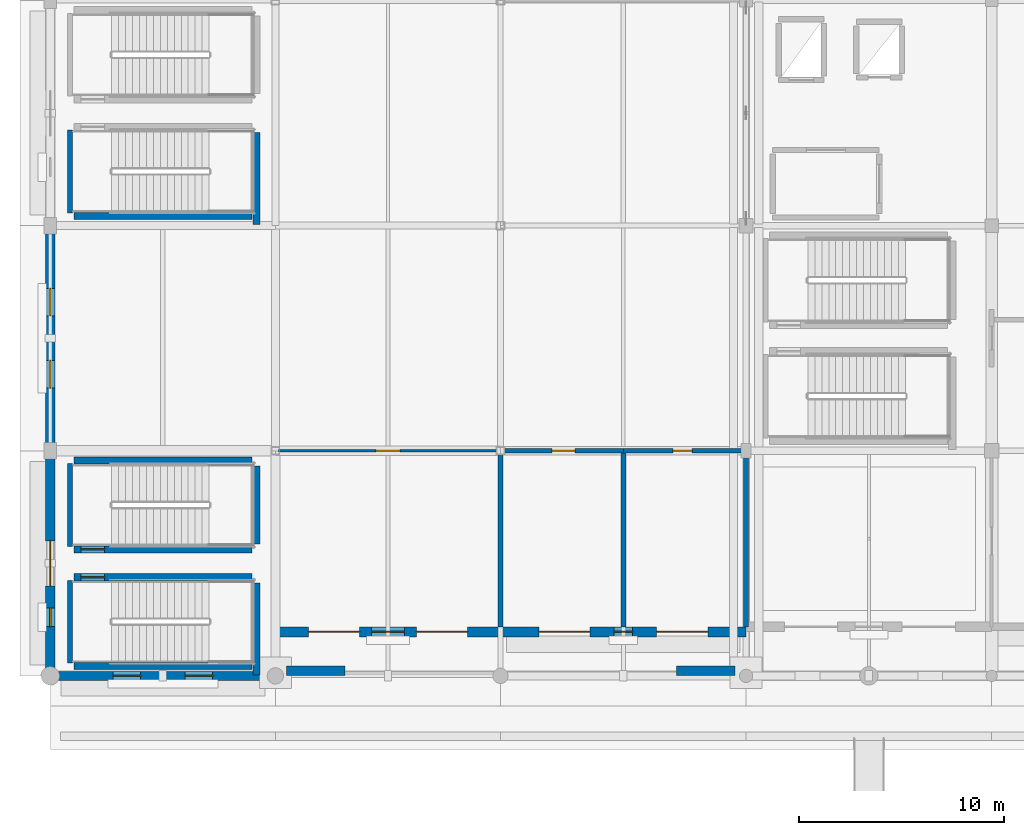
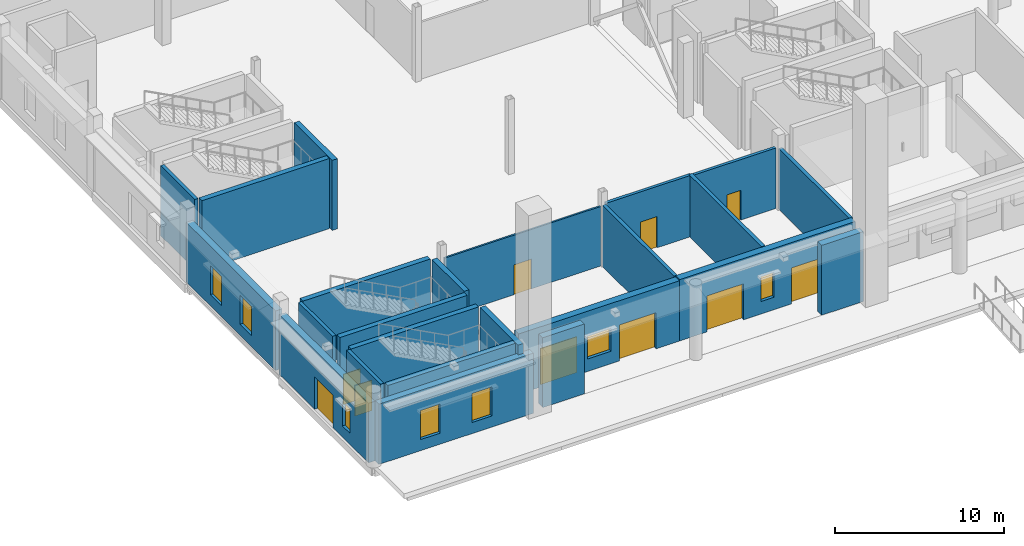
# One storey, part 55 of 120: 24 walls, 10 doors, 7 windows, 17 openings.
"""IFC4 building model written with IfcOpenShell, lengths in metres."""

from ifc_helpers import new_model, si_unit, direction, frame, frame_2d, origin, place, context, subcontext, project, spatial, rectangle, extrude, material, layer, layer_set, type_object, element, fill, save


model = new_model("IFC4")

# Units and contexts
model_context = context("Model", 3, precision=1e-05, world=origin(), true_north=direction((0.0, 1.0)))
body_context = subcontext(model_context, "Body", "Model", "MODEL_VIEW")
ifc_project = project(units=[si_unit("LENGTHUNIT", "METRE"), si_unit("AREAUNIT", "SQUARE_METRE"), si_unit("VOLUMEUNIT", "CUBIC_METRE"), si_unit("PLANEANGLEUNIT", "RADIAN"), si_unit("MASSUNIT", "GRAM", prefix="KILO")], contexts=[model_context])

# Site, building, storey
site_placement = place(None, origin())
site = spatial("IfcSite", under=ifc_project, at=site_placement, CompositionType="ELEMENT")
building_placement = place(site_placement, origin())
building = spatial("IfcBuilding", under=site, at=building_placement, Name="Luwafu Chhajja Arena", CompositionType="ELEMENT")
storey_placement = place(building_placement, origin())
storey = spatial("IfcBuildingStorey", under=building, at=storey_placement, Name="L00", CompositionType="ELEMENT", Elevation=0.0)

# Wall, opening, door
ifc_material_1 = material(Name="Acoustic gypsum and mineral wool partition")
ifc_layer_1 = layer(ifc_material_1, 0.199951171875, Name="Acoustic gypsum and mineral wool partition")
ifc_layer_set_1 = layer_set([ifc_layer_1], Name="Acoustic gypsum and mineral wool partition")
wall_type_1 = type_object("IfcWallType", Name="Acoustic Broadcast Studio Partition 200", PredefinedType="PARTITIONING", material=ifc_layer_set_1)
wall_1_placement = place(storey_placement, frame((22.159912109375, 11.0, 0.0), z_axis=(0.0, 0.0, 1.0), x_axis=(1.0, 0.0, 0.0)))
wall_1 = element("IfcWall", 1, at=wall_1_placement, inside=storey, type_object=wall_type_1, Name="L00 Internal Partition 0152", PredefinedType="PARTITIONING", context=body_context, shape_type="SweptSolid", body=[
    extrude(rectangle(XDim=5.840087890625, YDim=0.199951171875, at=frame_2d((2.919921875, 0.0))), origin(), (0.0, 0.0, 1.0), 4.4296875),
])
opening_1_placement = place(wall_1_placement, frame((2.360107421875, 0.0, 0.0)))
opening_1 = element("IfcOpeningElement", 2, at=opening_1_placement, cuts=wall_1, Name="Opening DR-16", PredefinedType="OPENING", context=body_context, shape_type="SweptSolid", body=[
    extrude(rectangle(XDim=1.1201171875, YDim=2.25, at=frame_2d((0.56005859375, 1.125))), frame((0.0, 0.10986328125, 0.0), z_axis=(0.0, -1.0, 0.0), x_axis=(1.0, 0.0, 0.0)), (0.0, 0.0, 1.0), 0.219970703125),
])
ifc_material_2 = material(Name="Acoustic steel-core timber door", Category="steel")
door_type_1 = type_object("IfcDoorType", Name="DR-16", OperationType="NOTDEFINED", PredefinedType="DOOR", material=ifc_material_2)
door_1_placement = place(opening_1_placement, origin())
door_1 = element("IfcDoor", 3, at=door_1_placement, inside=storey, type_object=door_type_1, Name="L00 Interior Door L00-D035", OperationType="SINGLE_SWING_LEFT", OverallHeight=2.25, OverallWidth=1.1201171875, PredefinedType="DOOR", context=body_context, shape_type="SweptSolid", body=[
    extrude(rectangle(XDim=1.1201171875, YDim=2.25, at=frame_2d((0.56005859375, 1.125))), frame((0.0, 0.02490234375, 0.0), z_axis=(0.0, -1.0, 0.0), x_axis=(1.0, 0.0, 0.0)), (0.0, 0.0, 1.0), 0.050048828125),
])
fill(opening_1, door_1)

wall_2_placement = place(storey_placement, frame((28.0, 11.0, 0.0), z_axis=(0.0, 0.0, 1.0), x_axis=(1.0, 0.0, 0.0)))
wall_2 = element("IfcWall", 4, at=wall_2_placement, inside=storey, type_object=wall_type_1, Name="L00 Internal Partition 0153", PredefinedType="PARTITIONING", context=body_context, shape_type="SweptSolid", body=[
    extrude(rectangle(XDim=5.780029296875, YDim=0.199951171875, at=frame_2d((2.89013671875, 0.0))), origin(), (0.0, 0.0, 1.0), 4.366455078125),
])
opening_2_placement = place(wall_2_placement, frame((2.419921875, 0.0, 0.0)))
opening_2 = element("IfcOpeningElement", 5, at=opening_2_placement, cuts=wall_2, Name="Opening DR-17", PredefinedType="OPENING", context=body_context, shape_type="SweptSolid", body=[
    extrude(rectangle(XDim=0.93994140625, YDim=2.14990234375, at=frame_2d((0.469970703125, 1.074951171875))), frame((0.0, 0.10986328125, 0.0), z_axis=(0.0, -1.0, 0.0), x_axis=(1.0, 0.0, 0.0)), (0.0, 0.0, 1.0), 0.219970703125),
])
door_type_2 = type_object("IfcDoorType", Name="DR-17", OperationType="NOTDEFINED", PredefinedType="DOOR", material=ifc_material_2)
door_2_placement = place(opening_2_placement, origin())
door_2 = element("IfcDoor", 6, at=door_2_placement, inside=storey, type_object=door_type_2, Name="L00 Interior Door L00-D036", OperationType="SINGLE_SWING_RIGHT", OverallHeight=2.14990234375, OverallWidth=0.93994140625, PredefinedType="DOOR", context=body_context, shape_type="SweptSolid", body=[
    extrude(rectangle(XDim=0.93994140625, YDim=2.14990234375, at=frame_2d((0.469970703125, 1.074951171875))), frame((0.0, 0.02490234375, 0.0), z_axis=(0.0, -1.0, 0.0), x_axis=(1.0, 0.0, 0.0)), (0.0, 0.0, 1.0), 0.050048828125),
])
fill(opening_2, door_2)

# Walls
ifc_material_3 = material(Name="Concrete blockwork masonry", Category="masonry")
ifc_layer_2 = layer(ifc_material_3, 0.239990234375, Name="Concrete blockwork masonry")
ifc_layer_set_2 = layer_set([ifc_layer_2], Name="Concrete blockwork masonry")
wall_type_2 = type_object("IfcWallType", Name="Compartment Masonry Partition 240", PredefinedType="PARTITIONING", material=ifc_layer_set_2)
wall_3_placement = place(storey_placement, frame((22.0, 2.39990234375, 0.0), z_axis=(0.0, 0.0, 1.0), x_axis=(0.0, 1.0, 0.0)))
element("IfcWall", 7, at=wall_3_placement, inside=storey, type_object=wall_type_2, Name="L00 Internal Partition 0198", PredefinedType="PARTITIONING", context=body_context, shape_type="SweptSolid", body=[
    extrude(rectangle(XDim=8.440185546875, YDim=0.239990234375, at=frame_2d((4.22021484375, 0.0))), origin(), (0.0, 0.0, 1.0), 4.4296875),
])
wall_4_placement = place(storey_placement, frame((28.0, 2.39990234375, 0.0), z_axis=(0.0, 0.0, 1.0), x_axis=(0.0, 1.0, 0.0)))
element("IfcWall", 8, at=wall_4_placement, inside=storey, type_object=wall_type_2, Name="L00 Internal Partition 0199", PredefinedType="PARTITIONING", context=body_context, shape_type="SweptSolid", body=[
    extrude(rectangle(XDim=8.60009765625, YDim=0.239990234375, at=frame_2d((4.300048828125, 0.0))), origin(), (0.0, 0.0, 1.0), 4.449951171875),
])
wall_5_placement = place(storey_placement, frame((34.0, 2.39990234375, 0.0), z_axis=(0.0, 0.0, 1.0), x_axis=(0.0, 1.0, 0.0)))
element("IfcWall", 9, at=wall_5_placement, inside=storey, type_object=wall_type_2, Name="L00 Internal Partition 0200", PredefinedType="PARTITIONING", context=body_context, shape_type="SweptSolid", body=[
    extrude(rectangle(XDim=8.380126953125, YDim=0.239990234375, at=frame_2d((4.18994140625, 0.0))), origin(), (0.0, 0.0, 1.0), 4.366455078125),
])

# Wall, opening, door
ifc_material_4 = material(Name="Acoustic metal-stud gypsum board")
ifc_layer_3 = layer(ifc_material_4, 0.1201171875, Name="Acoustic metal-stud gypsum board")
ifc_layer_set_3 = layer_set([ifc_layer_3], Name="Acoustic metal-stud gypsum board")
wall_type_3 = type_object("IfcWallType", Name="Internal Room Partition 120", PredefinedType="PARTITIONING", material=ifc_layer_set_3)
wall_6_placement = place(storey_placement, frame((11.159912109375, 11.0, 0.0), z_axis=(0.0, 0.0, 1.0), x_axis=(1.0, 0.0, 0.0)))
wall_6 = element("IfcWall", 10, at=wall_6_placement, inside=storey, type_object=wall_type_3, Name="L00 Internal Partition 0149", PredefinedType="PARTITIONING", context=body_context, shape_type="SweptSolid", body=[
    extrude(rectangle(XDim=10.68017578125, YDim=0.1201171875, at=frame_2d((5.340087890625, 0.0))), origin(), (0.0, 0.0, 1.0), 4.300048828125),
])
opening_3_placement = place(wall_6_placement, frame((4.75, 0.0, 0.0)))
opening_3 = element("IfcOpeningElement", 11, at=opening_3_placement, cuts=wall_6, Name="Opening DR-21", PredefinedType="OPENING", context=body_context, shape_type="SweptSolid", body=[
    extrude(rectangle(XDim=1.179931640625, YDim=2.14990234375, at=frame_2d((0.58984375, 1.074951171875))), frame((0.0, 0.070068359375, 0.0), z_axis=(0.0, -1.0, 0.0), x_axis=(1.0, 0.0, 0.0)), (0.0, 0.0, 1.0), 0.14013671875),
])
ifc_material_5 = material(Name="Hygienic laminate single leaf")
door_type_3 = type_object("IfcDoorType", Name="DR-21", OperationType="NOTDEFINED", PredefinedType="DOOR", material=ifc_material_5)
door_3_placement = place(opening_3_placement, origin())
door_3 = element("IfcDoor", 12, at=door_3_placement, inside=storey, type_object=door_type_3, Name="L00 Interior Door L00-D032", OperationType="SINGLE_SWING_LEFT", OverallHeight=2.14990234375, OverallWidth=1.179931640625, PredefinedType="DOOR", context=body_context, shape_type="SweptSolid", body=[
    extrude(rectangle(XDim=1.179931640625, YDim=2.14990234375, at=frame_2d((0.58984375, 1.074951171875))), frame((0.0, 0.02490234375, 0.0), z_axis=(0.0, -1.0, 0.0), x_axis=(1.0, 0.0, 0.0)), (0.0, 0.0, 1.0), 0.050048828125),
])
fill(opening_3, door_3)

# Walls
ifc_material_6 = material(Name="Concrete C40/50", Category="concrete")
ifc_layer_4 = layer(ifc_material_6, 0.47998046875, Name="Concrete C40/50")
ifc_layer_set_4 = layer_set([ifc_layer_4], Name="Concrete C40/50")
wall_type_4 = type_object("IfcWallType", Name="Pishtaq Portal Ashlar Wall 480", PredefinedType="SOLIDWALL", material=ifc_layer_set_4)
for number, where, z_axis, x_axis, name in (
    (13, (11.550048828125, 0.25, 0.0), (0.0, 0.0, 1.0), (1.0, 0.0, 0.0), "L00 Pishtaq Portal West Cheek Pier"),
    (14, (30.60009765625, 0.25, 0.0), (0.0, 0.0, 1.0), (1.0, 0.0, 0.0), "L00 Pishtaq Portal East Cheek Pier"),
):
    element("IfcWall", number, at=place(storey_placement, frame(where, z_axis=z_axis, x_axis=x_axis)), inside=storey, type_object=wall_type_4, Name=name, PredefinedType="SOLIDWALL", context=body_context, shape_type="SweptSolid", body=[
        extrude(rectangle(XDim=2.849853515625, YDim=0.47998046875, at=frame_2d((1.4248046875, 0.0))), origin(), (0.0, 0.0, 1.0), 5.0400390625),
    ])

# Wall, openings, window, doors
wall_7_placement = place(storey_placement, frame((11.0, 2.14990234375, 0.0), z_axis=(0.0, 0.0, 1.0), x_axis=(1.0, 0.0, 0.0)))
wall_7 = element("IfcWall", 15, at=wall_7_placement, inside=storey, type_object=wall_type_4, Name="L00 Exterior Wall WEX-L00-064", PredefinedType="SOLIDWALL", context=body_context, shape_type="SweptSolid", body=[
    extrude(rectangle(XDim=11.0, YDim=0.47998046875, at=frame_2d((5.5, 0.0))), origin(), (0.0, 0.0, 1.0), 4.35009765625),
])
opening_4_placement = place(wall_7_placement, frame((1.610107421875, 0.0, 0.0)))
opening_4 = element("IfcOpeningElement", 16, at=opening_4_placement, cuts=wall_7, Name="Opening DR-02", PredefinedType="OPENING", context=body_context, shape_type="SweptSolid", body=[
    extrude(rectangle(XDim=2.5, YDim=2.60009765625, at=frame_2d((1.25, 1.300048828125))), frame((0.0, 0.25, 0.0), z_axis=(0.0, -1.0, 0.0), x_axis=(1.0, 0.0, 0.0)), (0.0, 0.0, 1.0), 0.5),
])
opening_5_placement = place(wall_7_placement, frame((6.889892578125, 0.0, 0.0)))
opening_5 = element("IfcOpeningElement", 17, at=opening_5_placement, cuts=wall_7, Name="Opening DR-02", PredefinedType="OPENING", context=body_context, shape_type="SweptSolid", body=[
    extrude(rectangle(XDim=2.5, YDim=2.60009765625, at=frame_2d((1.25, 1.300048828125))), frame((0.0, 0.25, 0.0), z_axis=(0.0, -1.0, 0.0), x_axis=(1.0, 0.0, 0.0)), (0.0, 0.0, 1.0), 0.5),
])
opening_6_placement = place(wall_7_placement, frame((4.699951171875, 0.0, 0.89990234375)))
opening_6 = element("IfcOpeningElement", 18, at=opening_6_placement, cuts=wall_7, Name="Opening WN-13", PredefinedType="OPENING", context=body_context, shape_type="SweptSolid", body=[
    extrude(rectangle(XDim=1.60009765625, YDim=1.64990234375, at=frame_2d((0.800048828125, 0.824951171875))), frame((0.0, 0.25, 0.0), z_axis=(0.0, -1.0, 0.0), x_axis=(1.0, 0.0, 0.0)), (0.0, 0.0, 1.0), 0.5),
])
ifc_material_7 = material(Name="Solar-control laminated glass", Category="glass")
window_type_1 = type_object("IfcWindowType", Name="Administration Office Window 1600x1650", PartitioningType="SINGLE_PANEL", PredefinedType="WINDOW", material=ifc_material_7)
window_1_placement = place(opening_6_placement, origin())
window_1 = element("IfcWindow", 19, at=window_1_placement, inside=storey, type_object=window_type_1, Name="L00 Facade Window 265", OverallHeight=1.64990234375, OverallWidth=1.60009765625, PartitioningType="SINGLE_PANEL", PredefinedType="WINDOW", context=body_context, shape_type="SweptSolid", body=[
    extrude(rectangle(XDim=1.60009765625, YDim=1.64990234375, at=frame_2d((0.800048828125, 0.824951171875))), frame((0.0, 0.030029296875, 0.0), z_axis=(0.0, -1.0, 0.0), x_axis=(1.0, 0.0, 0.0)), (0.0, 0.0, 1.0), 0.06005859375),
])
fill(opening_6, window_1)
ifc_material_8 = material(Name="Anodised bronze aluminium and toughened glass", Category="aluminium")
door_type_4 = type_object("IfcDoorType", Name="DR-02", OperationType="DOUBLE_DOOR_SINGLE_SWING", PredefinedType="DOOR", material=ifc_material_8)
door_4_placement = place(opening_4_placement, frame((2.5, 0.0, 0.0), z_axis=(0.0, 0.0, 1.0), x_axis=(-1.0, 0.0, 0.0)))
door_4 = element("IfcDoor", 20, at=door_4_placement, inside=storey, type_object=door_type_4, Name="Main entrance E-09", OperationType="DOUBLE_DOOR_SINGLE_SWING", OverallHeight=2.60009765625, OverallWidth=2.5, PredefinedType="DOOR", context=body_context, shape_type="SweptSolid", body=[
    extrude(rectangle(XDim=2.5, YDim=2.60009765625, at=frame_2d((1.25, 1.300048828125))), frame((0.0, 0.02490234375, 0.0), z_axis=(0.0, -1.0, 0.0), x_axis=(1.0, 0.0, 0.0)), (0.0, 0.0, 1.0), 0.050048828125),
])
fill(opening_4, door_4)
door_5_placement = place(opening_5_placement, frame((2.5, 0.0, 0.0), z_axis=(0.0, 0.0, 1.0), x_axis=(-1.0, 0.0, 0.0)))
door_5 = element("IfcDoor", 21, at=door_5_placement, inside=storey, type_object=door_type_4, Name="Main entrance E-10", OperationType="DOUBLE_DOOR_SINGLE_SWING", OverallHeight=2.60009765625, OverallWidth=2.5, PredefinedType="DOOR", context=body_context, shape_type="SweptSolid", body=[
    extrude(rectangle(XDim=2.5, YDim=2.60009765625, at=frame_2d((1.25, 1.300048828125))), frame((0.0, 0.02490234375, 0.0), z_axis=(0.0, -1.0, 0.0), x_axis=(1.0, 0.0, 0.0)), (0.0, 0.0, 1.0), 0.050048828125),
])
fill(opening_5, door_5)

# Wall, openings, doors, window
wall_8_placement = place(storey_placement, frame((22.0, 2.14990234375, 0.0), z_axis=(0.0, 0.0, 1.0), x_axis=(1.0, 0.0, 0.0)))
wall_8 = element("IfcWall", 22, at=wall_8_placement, inside=storey, type_object=wall_type_4, Name="L00 Exterior Wall WEX-L00-066", PredefinedType="SOLIDWALL", context=body_context, shape_type="SweptSolid", body=[
    extrude(rectangle(XDim=12.0, YDim=0.47998046875, at=frame_2d((6.0, 0.0))), origin(), (0.0, 0.0, 1.0), 4.4296875),
])
opening_7_placement = place(wall_8_placement, frame((1.8701171875, 0.0, 0.0)))
opening_7 = element("IfcOpeningElement", 23, at=opening_7_placement, cuts=wall_8, Name="Opening DR-02", PredefinedType="OPENING", context=body_context, shape_type="SweptSolid", body=[
    extrude(rectangle(XDim=2.5, YDim=2.60009765625, at=frame_2d((1.25, 1.300048828125))), frame((0.0, 0.25, 0.0), z_axis=(0.0, -1.0, 0.0), x_axis=(1.0, 0.0, 0.0)), (0.0, 0.0, 1.0), 0.5),
])
opening_8_placement = place(wall_8_placement, frame((7.6298828125, 0.0, 0.0)))
opening_8 = element("IfcOpeningElement", 24, at=opening_8_placement, cuts=wall_8, Name="Opening DR-02", PredefinedType="OPENING", context=body_context, shape_type="SweptSolid", body=[
    extrude(rectangle(XDim=2.5, YDim=2.60009765625, at=frame_2d((1.25, 1.300048828125))), frame((0.0, 0.25, 0.0), z_axis=(0.0, -1.0, 0.0), x_axis=(1.0, 0.0, 0.0)), (0.0, 0.0, 1.0), 0.5),
])
opening_9_placement = place(wall_8_placement, frame((5.550048828125, 0.0, 0.89990234375)))
opening_9 = element("IfcOpeningElement", 25, at=opening_9_placement, cuts=wall_8, Name="Opening WN-16", PredefinedType="OPENING", context=body_context, shape_type="SweptSolid", body=[
    extrude(rectangle(XDim=0.89990234375, YDim=1.800048828125, at=frame_2d((0.449951171875, 0.89990234375))), frame((0.0, 0.25, 0.0), z_axis=(0.0, -1.0, 0.0), x_axis=(1.0, 0.0, 0.0)), (0.0, 0.0, 1.0), 0.5),
])
door_6_placement = place(opening_7_placement, frame((2.5, 0.0, 0.0), z_axis=(0.0, 0.0, 1.0), x_axis=(-1.0, 0.0, 0.0)))
door_6 = element("IfcDoor", 26, at=door_6_placement, inside=storey, type_object=door_type_4, Name="Main entrance E-11", OperationType="DOUBLE_DOOR_SINGLE_SWING", OverallHeight=2.60009765625, OverallWidth=2.5, PredefinedType="DOOR", context=body_context, shape_type="SweptSolid", body=[
    extrude(rectangle(XDim=2.5, YDim=2.60009765625, at=frame_2d((1.25, 1.300048828125))), frame((0.0, 0.02490234375, 0.0), z_axis=(0.0, -1.0, 0.0), x_axis=(1.0, 0.0, 0.0)), (0.0, 0.0, 1.0), 0.050048828125),
])
fill(opening_7, door_6)
door_7_placement = place(opening_8_placement, frame((2.5, 0.0, 0.0), z_axis=(0.0, 0.0, 1.0), x_axis=(-1.0, 0.0, 0.0)))
door_7 = element("IfcDoor", 27, at=door_7_placement, inside=storey, type_object=door_type_4, Name="Main entrance E-12", OperationType="DOUBLE_DOOR_SINGLE_SWING", OverallHeight=2.60009765625, OverallWidth=2.5, PredefinedType="DOOR", context=body_context, shape_type="SweptSolid", body=[
    extrude(rectangle(XDim=2.5, YDim=2.60009765625, at=frame_2d((1.25, 1.300048828125))), frame((0.0, 0.02490234375, 0.0), z_axis=(0.0, -1.0, 0.0), x_axis=(1.0, 0.0, 0.0)), (0.0, 0.0, 1.0), 0.050048828125),
])
fill(opening_8, door_7)
window_type_2 = type_object("IfcWindowType", Name="Stair Core Daylight Slot Window 900x1800", PartitioningType="SINGLE_PANEL", PredefinedType="WINDOW", material=ifc_material_7)
window_2_placement = place(opening_9_placement, origin())
window_2 = element("IfcWindow", 28, at=window_2_placement, inside=storey, type_object=window_type_2, Name="L00 Facade Window 267", OverallHeight=1.800048828125, OverallWidth=0.89990234375, PartitioningType="SINGLE_PANEL", PredefinedType="WINDOW", context=body_context, shape_type="SweptSolid", body=[
    extrude(rectangle(XDim=0.89990234375, YDim=1.800048828125, at=frame_2d((0.449951171875, 0.89990234375))), frame((0.0, 0.030029296875, 0.0), z_axis=(0.0, -1.0, 0.0), x_axis=(1.0, 0.0, 0.0)), (0.0, 0.0, 1.0), 0.06005859375),
])
fill(opening_9, window_2)

# Walls
ifc_layer_5 = layer(ifc_material_6, 0.35009765625, Name="Concrete C40/50")
ifc_layer_set_5 = layer_set([ifc_layer_5], Name="Concrete C40/50")
wall_type_5 = type_object("IfcWallType", Name="RC Core Shear Wall 350", PredefinedType="SOLIDWALL", material=ifc_layer_set_5)
wall_9_placement = place(storey_placement, frame((10.072021484375, 22.050048828125, 0.0), z_axis=(0.0, 0.0, 1.0), x_axis=(0.0, 1.0, 0.0)))
element("IfcWall", 29, at=wall_9_placement, inside=storey, type_object=wall_type_5, Name="L00 Stair ST-13 Core Shear Wall E", PredefinedType="SOLIDWALL", context=body_context, shape_type="SweptSolid", body=[
    extrude(rectangle(XDim=4.5, YDim=0.35009765625, at=frame_2d((2.25, 0.0))), origin(), (0.0, 0.0, 1.0), 5.06005859375),
])
wall_10_placement = place(storey_placement, frame((1.14990234375, 22.47802734375, 0.0), z_axis=(0.0, 0.0, 1.0), x_axis=(1.0, 0.0, 0.0)))
element("IfcWall", 30, at=wall_10_placement, inside=storey, type_object=wall_type_5, Name="L00 Stair ST-13 Core Shear Wall S", PredefinedType="SOLIDWALL", context=body_context, shape_type="SweptSolid", body=[
    extrude(rectangle(XDim=8.7001953125, YDim=0.35009765625, at=frame_2d((4.35009765625, 0.0))), origin(), (0.0, 0.0, 1.0), 5.06005859375),
])
wall_11_placement = place(storey_placement, frame((10.072021484375, 0.050048828125, 0.0), z_axis=(0.0, 0.0, 1.0), x_axis=(0.0, 1.0, 0.0)))
element("IfcWall", 31, at=wall_11_placement, inside=storey, type_object=wall_type_5, Name="L00 Stair ST-17 Core Shear Wall E", PredefinedType="SOLIDWALL", context=body_context, shape_type="SweptSolid", body=[
    extrude(rectangle(XDim=4.5, YDim=0.35009765625, at=frame_2d((2.25, 0.0))), origin(), (0.0, 0.0, 1.0), 5.06005859375),
])
wall_12_placement = place(storey_placement, frame((1.14990234375, 0.47802734375, 0.0), z_axis=(0.0, 0.0, 1.0), x_axis=(1.0, 0.0, 0.0)))
element("IfcWall", 32, at=wall_12_placement, inside=storey, type_object=wall_type_5, Name="L00 Stair ST-17 Core Shear Wall S", PredefinedType="SOLIDWALL", context=body_context, shape_type="SweptSolid", body=[
    extrude(rectangle(XDim=8.7001953125, YDim=0.35009765625, at=frame_2d((4.35009765625, 0.0))), origin(), (0.0, 0.0, 1.0), 5.06005859375),
])

# Wall, opening, door
wall_13_placement = place(storey_placement, frame((1.14990234375, 4.822021484375, 0.0), z_axis=(0.0, 0.0, 1.0), x_axis=(1.0, 0.0, 0.0)))
wall_13 = element("IfcWall", 33, at=wall_13_placement, inside=storey, type_object=wall_type_5, Name="L00 Stair ST-17 Core Shear Wall N", PredefinedType="SOLIDWALL", context=body_context, shape_type="SweptSolid", body=[
    extrude(rectangle(XDim=8.7001953125, YDim=0.35009765625, at=frame_2d((4.35009765625, 0.0))), origin(), (0.0, 0.0, 1.0), 5.06005859375),
])
opening_10_placement = place(wall_13_placement, frame((0.35009765625, 0.0, 0.0)))
opening_10 = element("IfcOpeningElement", 34, at=opening_10_placement, cuts=wall_13, Name="Opening DR-06", PredefinedType="OPENING", context=body_context, shape_type="SweptSolid", body=[
    extrude(rectangle(XDim=1.14990234375, YDim=2.199951171875, at=frame_2d((0.574951171875, 1.10009765625))), frame((0.0, 0.18505859375, 0.0), z_axis=(0.0, -1.0, 0.0), x_axis=(1.0, 0.0, 0.0)), (0.0, 0.0, 1.0), 0.3701171875),
])
ifc_material_9 = material(Name="Fire-rated hardwood and steel core", Category="steel")
door_type_5 = type_object("IfcDoorType", Name="DR-06", OperationType="NOTDEFINED", PredefinedType="DOOR", material=ifc_material_9)
door_8_placement = place(opening_10_placement, origin())
door_8 = element("IfcDoor", 35, at=door_8_placement, inside=storey, type_object=door_type_5, Name="L00 Escape Stair ST-17 Fire Door L00-D025", OperationType="SINGLE_SWING_RIGHT", OverallHeight=2.199951171875, OverallWidth=1.14990234375, PredefinedType="DOOR", context=body_context, shape_type="SweptSolid", body=[
    extrude(rectangle(XDim=1.14990234375, YDim=2.199951171875, at=frame_2d((0.574951171875, 1.10009765625))), frame((0.0, 0.02490234375, 0.0), z_axis=(0.0, -1.0, 0.0), x_axis=(1.0, 0.0, 0.0)), (0.0, 0.0, 1.0), 0.050048828125),
])
fill(opening_10, door_8)

# Wall
wall_14_placement = place(storey_placement, frame((10.072021484375, 6.449951171875, 0.0), z_axis=(0.0, 0.0, 1.0), x_axis=(0.0, 1.0, 0.0)))
element("IfcWall", 36, at=wall_14_placement, inside=storey, type_object=wall_type_5, Name="L00 Stair ST-18 Core Shear Wall E", PredefinedType="SOLIDWALL", context=body_context, shape_type="SweptSolid", body=[
    extrude(rectangle(XDim=3.800048828125, YDim=0.35009765625, at=frame_2d((1.89990234375, 0.0))), origin(), (0.0, 0.0, 1.0), 5.06005859375),
])

# Wall, opening, door
wall_15_placement = place(storey_placement, frame((1.14990234375, 6.177978515625, 0.0), z_axis=(0.0, 0.0, 1.0), x_axis=(1.0, 0.0, 0.0)))
wall_15 = element("IfcWall", 37, at=wall_15_placement, inside=storey, type_object=wall_type_5, Name="L00 Stair ST-18 Core Shear Wall S", PredefinedType="SOLIDWALL", context=body_context, shape_type="SweptSolid", body=[
    extrude(rectangle(XDim=8.7001953125, YDim=0.35009765625, at=frame_2d((4.35009765625, 0.0))), origin(), (0.0, 0.0, 1.0), 5.06005859375),
])
opening_11_placement = place(wall_15_placement, frame((0.35009765625, 0.0, 0.0)))
opening_11 = element("IfcOpeningElement", 38, at=opening_11_placement, cuts=wall_15, Name="Opening DR-06", PredefinedType="OPENING", context=body_context, shape_type="SweptSolid", body=[
    extrude(rectangle(XDim=1.14990234375, YDim=2.199951171875, at=frame_2d((0.574951171875, 1.10009765625))), frame((0.0, 0.18505859375, 0.0), z_axis=(0.0, -1.0, 0.0), x_axis=(1.0, 0.0, 0.0)), (0.0, 0.0, 1.0), 0.3701171875),
])
door_9_placement = place(opening_11_placement, origin())
door_9 = element("IfcDoor", 39, at=door_9_placement, inside=storey, type_object=door_type_5, Name="L00 Escape Stair ST-18 Fire Door L00-D026", OperationType="SINGLE_SWING_LEFT", OverallHeight=2.199951171875, OverallWidth=1.14990234375, PredefinedType="DOOR", context=body_context, shape_type="SweptSolid", body=[
    extrude(rectangle(XDim=1.14990234375, YDim=2.199951171875, at=frame_2d((0.574951171875, 1.10009765625))), frame((0.0, 0.02490234375, 0.0), z_axis=(0.0, -1.0, 0.0), x_axis=(1.0, 0.0, 0.0)), (0.0, 0.0, 1.0), 0.050048828125),
])
fill(opening_11, door_9)

# Wall
wall_16_placement = place(storey_placement, frame((1.14990234375, 10.52197265625, 0.0), z_axis=(0.0, 0.0, 1.0), x_axis=(1.0, 0.0, 0.0)))
element("IfcWall", 40, at=wall_16_placement, inside=storey, type_object=wall_type_5, Name="L00 Stair ST-18 Core Shear Wall N", PredefinedType="SOLIDWALL", context=body_context, shape_type="SweptSolid", body=[
    extrude(rectangle(XDim=8.7001953125, YDim=0.35009765625, at=frame_2d((4.35009765625, 0.0))), origin(), (0.0, 0.0, 1.0), 5.06005859375),
])

# Wall, openings, windows
ifc_layer_6 = layer(ifc_material_6, 0.449951171875, Name="Concrete C40/50")
ifc_layer_set_6 = layer_set([ifc_layer_6], Name="Concrete C40/50")
wall_type_6 = type_object("IfcWallType", Name="RC Core Shear Wall 450", PredefinedType="SOLIDWALL", material=ifc_layer_set_6)
wall_17_placement = place(storey_placement, frame((0.219970703125, 0.0, 0.0), z_axis=(0.0, 0.0, 1.0), x_axis=(1.0, 0.0, 0.0)))
wall_17 = element("IfcWall", 41, at=wall_17_placement, inside=storey, type_object=wall_type_6, Name="L00 Exterior Wall WEX-L00-054", PredefinedType="SOLIDWALL", context=body_context, shape_type="SweptSolid", body=[
    extrude(rectangle(XDim=10.56005859375, YDim=0.449951171875, at=frame_2d((5.280029296875, 0.0))), origin(), (0.0, 0.0, 1.0), 4.35009765625),
])
opening_12_placement = place(wall_17_placement, frame((2.844970703125, 0.0, 0.800048828125)))
opening_12 = element("IfcOpeningElement", 42, at=opening_12_placement, cuts=wall_17, Name="Opening WN-17", PredefinedType="OPENING", context=body_context, shape_type="SweptSolid", body=[
    extrude(rectangle(XDim=1.35009765625, YDim=2.10009765625, at=frame_2d((0.675048828125, 1.050048828125))), frame((0.0, 0.23486328125, 0.0), z_axis=(0.0, -1.0, 0.0), x_axis=(1.0, 0.0, 0.0)), (0.0, 0.0, 1.0), 0.469970703125),
])
opening_13_placement = place(wall_17_placement, frame((6.364990234375, 0.0, 0.800048828125)))
opening_13 = element("IfcOpeningElement", 43, at=opening_13_placement, cuts=wall_17, Name="Opening WN-17", PredefinedType="OPENING", context=body_context, shape_type="SweptSolid", body=[
    extrude(rectangle(XDim=1.35009765625, YDim=2.10009765625, at=frame_2d((0.675048828125, 1.050048828125))), frame((0.0, 0.23486328125, 0.0), z_axis=(0.0, -1.0, 0.0), x_axis=(1.0, 0.0, 0.0)), (0.0, 0.0, 1.0), 0.469970703125),
])
window_type_3 = type_object("IfcWindowType", Name="Exhibition Mezzanine Lancet Window 1350x2100", PartitioningType="SINGLE_PANEL", PredefinedType="WINDOW", material=ifc_material_7)
window_3_placement = place(opening_12_placement, origin())
window_3 = element("IfcWindow", 44, at=window_3_placement, inside=storey, type_object=window_type_3, Name="L00 Facade Window 252", OverallHeight=2.10009765625, OverallWidth=1.35009765625, PartitioningType="SINGLE_PANEL", PredefinedType="WINDOW", context=body_context, shape_type="SweptSolid", body=[
    extrude(rectangle(XDim=1.35009765625, YDim=2.10009765625, at=frame_2d((0.675048828125, 1.050048828125))), frame((0.0, 0.030029296875, 0.0), z_axis=(0.0, -1.0, 0.0), x_axis=(1.0, 0.0, 0.0)), (0.0, 0.0, 1.0), 0.06005859375),
])
fill(opening_12, window_3)
window_4_placement = place(opening_13_placement, origin())
window_4 = element("IfcWindow", 45, at=window_4_placement, inside=storey, type_object=window_type_3, Name="L00 Facade Window 253", OverallHeight=2.10009765625, OverallWidth=1.35009765625, PartitioningType="SINGLE_PANEL", PredefinedType="WINDOW", context=body_context, shape_type="SweptSolid", body=[
    extrude(rectangle(XDim=1.35009765625, YDim=2.10009765625, at=frame_2d((0.675048828125, 1.050048828125))), frame((0.0, 0.030029296875, 0.0), z_axis=(0.0, -1.0, 0.0), x_axis=(1.0, 0.0, 0.0)), (0.0, 0.0, 1.0), 0.06005859375),
])
fill(opening_13, window_4)

# Wall, openings, door, window
wall_18_placement = place(storey_placement, frame((0.0, 0.219970703125, 0.0), z_axis=(0.0, 0.0, 1.0), x_axis=(0.0, 1.0, 0.0)))
wall_18 = element("IfcWall", 46, at=wall_18_placement, inside=storey, type_object=wall_type_6, Name="L00 Exterior Wall WEX-L00-055", PredefinedType="SOLIDWALL", context=body_context, shape_type="SweptSolid", body=[
    extrude(rectangle(XDim=10.56005859375, YDim=0.449951171875, at=frame_2d((5.280029296875, 0.0))), origin(), (0.0, 0.0, 1.0), 4.300048828125),
])
opening_14_placement = place(wall_18_placement, frame((4.179931640625, 0.0, 0.0)))
opening_14 = element("IfcOpeningElement", 47, at=opening_14_placement, cuts=wall_18, Name="Opening DR-03", PredefinedType="OPENING", context=body_context, shape_type="SweptSolid", body=[
    extrude(rectangle(XDim=2.199951171875, YDim=2.35009765625, at=frame_2d((1.10009765625, 1.175048828125))), frame((0.0, 0.23486328125, 0.0), z_axis=(0.0, -1.0, 0.0), x_axis=(1.0, 0.0, 0.0)), (0.0, 0.0, 1.0), 0.469970703125),
])
opening_15_placement = place(wall_18_placement, frame((2.18994140625, 0.0, 0.800048828125)))
opening_15 = element("IfcOpeningElement", 48, at=opening_15_placement, cuts=wall_18, Name="Opening WN-16", PredefinedType="OPENING", context=body_context, shape_type="SweptSolid", body=[
    extrude(rectangle(XDim=0.89990234375, YDim=1.800048828125, at=frame_2d((0.449951171875, 0.89990234375))), frame((0.0, 0.23486328125, 0.0), z_axis=(0.0, -1.0, 0.0), x_axis=(1.0, 0.0, 0.0)), (0.0, 0.0, 1.0), 0.469970703125),
])
ifc_material_10 = material(Name="Fire-rated bronze aluminium and glazed vision leaves", Category="aluminium")
door_type_6 = type_object("IfcDoorType", Name="DR-03", OperationType="DOUBLE_DOOR_SINGLE_SWING", PredefinedType="DOOR", material=ifc_material_10)
door_10_placement = place(opening_14_placement, origin())
door_10 = element("IfcDoor", 49, at=door_10_placement, inside=storey, type_object=door_type_6, Name="Stair Exit Discharge Door SX-18", OperationType="DOUBLE_DOOR_SINGLE_SWING", OverallHeight=2.35009765625, OverallWidth=2.199951171875, PredefinedType="DOOR", context=body_context, shape_type="SweptSolid", body=[
    extrude(rectangle(XDim=2.199951171875, YDim=2.35009765625, at=frame_2d((1.10009765625, 1.175048828125))), frame((0.0, 0.02490234375, 0.0), z_axis=(0.0, -1.0, 0.0), x_axis=(1.0, 0.0, 0.0)), (0.0, 0.0, 1.0), 0.050048828125),
])
fill(opening_14, door_10)
window_5_placement = place(opening_15_placement, origin())
window_5 = element("IfcWindow", 50, at=window_5_placement, inside=storey, type_object=window_type_2, Name="L00 Facade Window 254", OverallHeight=1.800048828125, OverallWidth=0.89990234375, PartitioningType="SINGLE_PANEL", PredefinedType="WINDOW", context=body_context, shape_type="SweptSolid", body=[
    extrude(rectangle(XDim=0.89990234375, YDim=1.800048828125, at=frame_2d((0.449951171875, 0.89990234375))), frame((0.0, 0.030029296875, 0.0), z_axis=(0.0, -1.0, 0.0), x_axis=(1.0, 0.0, 0.0)), (0.0, 0.0, 1.0), 0.06005859375),
])
fill(opening_15, window_5)

# Wall, openings, windows
wall_19_placement = place(storey_placement, frame((0.0, 11.219970703125, 0.0), z_axis=(0.0, 0.0, 1.0), x_axis=(0.0, 1.0, 0.0)))
wall_19 = element("IfcWall", 51, at=wall_19_placement, inside=storey, type_object=wall_type_6, Name="L00 Exterior Wall WEX-L00-056", PredefinedType="SOLIDWALL", context=body_context, shape_type="SweptSolid", body=[
    extrude(rectangle(XDim=10.56005859375, YDim=0.449951171875, at=frame_2d((5.280029296875, 0.0))), origin(), (0.0, 0.0, 1.0), 4.300048828125),
])
opening_16_placement = place(wall_19_placement, frame((2.844970703125, 0.0, 0.800048828125)))
opening_16 = element("IfcOpeningElement", 52, at=opening_16_placement, cuts=wall_19, Name="Opening WN-17", PredefinedType="OPENING", context=body_context, shape_type="SweptSolid", body=[
    extrude(rectangle(XDim=1.35009765625, YDim=2.10009765625, at=frame_2d((0.675048828125, 1.050048828125))), frame((0.0, 0.23486328125, 0.0), z_axis=(0.0, -1.0, 0.0), x_axis=(1.0, 0.0, 0.0)), (0.0, 0.0, 1.0), 0.469970703125),
])
opening_17_placement = place(wall_19_placement, frame((6.364990234375, 0.0, 0.800048828125)))
opening_17 = element("IfcOpeningElement", 53, at=opening_17_placement, cuts=wall_19, Name="Opening WN-17", PredefinedType="OPENING", context=body_context, shape_type="SweptSolid", body=[
    extrude(rectangle(XDim=1.35009765625, YDim=2.10009765625, at=frame_2d((0.675048828125, 1.050048828125))), frame((0.0, 0.23486328125, 0.0), z_axis=(0.0, -1.0, 0.0), x_axis=(1.0, 0.0, 0.0)), (0.0, 0.0, 1.0), 0.469970703125),
])
window_6_placement = place(opening_16_placement, origin())
window_6 = element("IfcWindow", 54, at=window_6_placement, inside=storey, type_object=window_type_3, Name="L00 Facade Window 255", OverallHeight=2.10009765625, OverallWidth=1.35009765625, PartitioningType="SINGLE_PANEL", PredefinedType="WINDOW", context=body_context, shape_type="SweptSolid", body=[
    extrude(rectangle(XDim=1.35009765625, YDim=2.10009765625, at=frame_2d((0.675048828125, 1.050048828125))), frame((0.0, 0.030029296875, 0.0), z_axis=(0.0, -1.0, 0.0), x_axis=(1.0, 0.0, 0.0)), (0.0, 0.0, 1.0), 0.06005859375),
])
fill(opening_16, window_6)
window_7_placement = place(opening_17_placement, origin())
window_7 = element("IfcWindow", 55, at=window_7_placement, inside=storey, type_object=window_type_3, Name="L00 Facade Window 256", OverallHeight=2.10009765625, OverallWidth=1.35009765625, PartitioningType="SINGLE_PANEL", PredefinedType="WINDOW", context=body_context, shape_type="SweptSolid", body=[
    extrude(rectangle(XDim=1.35009765625, YDim=2.10009765625, at=frame_2d((0.675048828125, 1.050048828125))), frame((0.0, 0.030029296875, 0.0), z_axis=(0.0, -1.0, 0.0), x_axis=(1.0, 0.0, 0.0)), (0.0, 0.0, 1.0), 0.06005859375),
])
fill(opening_17, window_7)

# Walls
ifc_material_11 = material(Name="Concrete C35/45", Category="concrete")
ifc_layer_7 = layer(ifc_material_11, 0.22998046875, Name="Concrete C35/45")
ifc_layer_set_7 = layer_set([ifc_layer_7], Name="Concrete C35/45")
wall_type_7 = type_object("IfcWallType", Name="Stair Enclosure Wall 230", PredefinedType="SOLIDWALL", material=ifc_layer_set_7)
for number, where, z_axis, x_axis, name in (
    (56, (0.9599609375, 22.6298828125, 0.0), (0.0, 0.0, 1.0), (0.0, 1.0, 0.0), "L00 Stair ST-13 Enclosure Wall W"),
    (57, (0.9599609375, 0.6298828125, 0.0), (0.0, 0.0, 1.0), (0.0, 1.0, 0.0), "L00 Stair ST-17 Enclosure Wall W"),
    (58, (0.9599609375, 6.330078125, 0.0), (0.0, 0.0, 1.0), (0.0, 1.0, 0.0), "L00 Stair ST-18 Enclosure Wall W"),
):
    element("IfcWall", number, at=place(storey_placement, frame(where, z_axis=z_axis, x_axis=x_axis)), inside=storey, type_object=wall_type_7, Name=name, PredefinedType="SOLIDWALL", context=body_context, shape_type="SweptSolid", body=[
        extrude(rectangle(XDim=4.0400390625, YDim=0.22998046875, at=frame_2d((2.02001953125, 0.0))), origin(), (0.0, 0.0, 1.0), 5.06005859375),
    ])

save(model, "model.ifc")
